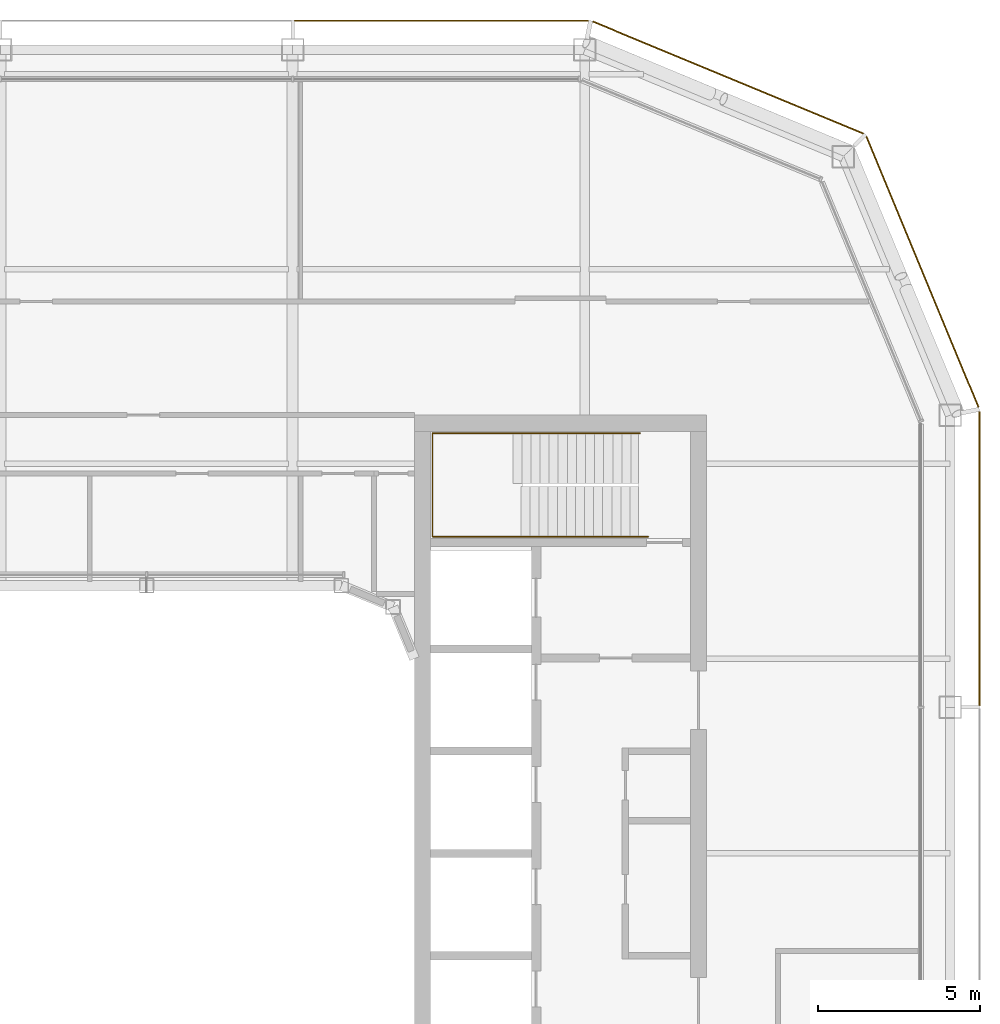
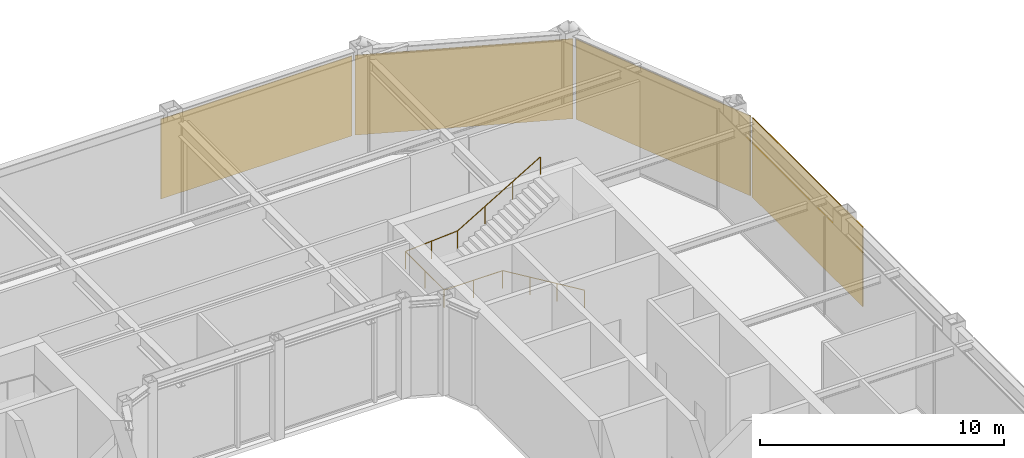
# One storey, part 17 of 17: 4 coverings, 1 railing.
"""IFC4 building model written with IfcOpenShell, lengths in metres."""

from ifc_helpers import new_model, si_unit, direction, frame, origin, origin_2d, place, context, subcontext, project, spatial, rectangle, circle, extrude, material, layer, layer_set, type_object, element, save


model = new_model("IFC4")

# Units and contexts
model_context = context("Model", 3, precision=1e-05, world=origin(), true_north=direction((0.0, 1.0)))
body_context = subcontext(model_context, "Body", "Model", "MODEL_VIEW")
ifc_project = project(units=[si_unit("LENGTHUNIT", "METRE"), si_unit("AREAUNIT", "SQUARE_METRE"), si_unit("VOLUMEUNIT", "CUBIC_METRE"), si_unit("PLANEANGLEUNIT", "RADIAN"), si_unit("MASSUNIT", "GRAM", prefix="KILO")], contexts=[model_context])

# Site, building, storey
site_placement = place(None, origin())
site = spatial("IfcSite", under=ifc_project, at=site_placement, CompositionType="ELEMENT")
building_placement = place(site_placement, origin())
building = spatial("IfcBuilding", under=site, at=building_placement, Name="Siwar Civic Tower", CompositionType="ELEMENT")
storey_placement = place(building_placement, frame((0.0, 0.0, 353.199951171875)))
storey = spatial("IfcBuildingStorey", under=building, at=storey_placement, Name="L76", CompositionType="ELEMENT", Elevation=353.199951171875)

# Railing
ifc_material_1 = material(Name="Stainless steel", Category="steel")
railing_type = type_object("IfcRailingType", Name="CORE-STAIR-HANDRAIL", PredefinedType="HANDRAIL", material=ifc_material_1)
railing_placement = place(storey_placement, frame((15.449951171875, 9.758056640625, 0.166748046875)))
element("IfcRailing", 1, at=railing_placement, inside=storey, type_object=railing_type, Name="Stair handrail ST3", PredefinedType="HANDRAIL", context=body_context, shape_type="SweptSolid", body=[
    extrude(circle(Radius=0.02001953125, at=origin_2d()), frame((0.0, 0.0, 0.8798828125), z_axis=(-0.856384976194, 0.0, 0.516337847296), x_axis=(0.0, -1.0, 0.0)), (0.0, 0.0, 1.0), 4.518798828125),
    extrude(circle(Radius=0.02001953125, at=origin_2d()), frame((-3.869873046875, 0.0, 3.213134765625), z_axis=(-1.0, 0.0, 0.0), x_axis=(0.0, -1.0, 0.0)), (0.0, 0.0, 1.0), 2.77197265625),
    extrude(circle(Radius=0.02001953125, at=origin_2d()), frame((-6.641845703125, 0.0, 3.213134765625), z_axis=(0.0, 1.0, 0.0), x_axis=(-1.0, 0.0, 0.0)), (0.0, 0.0, 1.0), 3.183837890625),
    extrude(circle(Radius=0.02001953125, at=origin_2d()), frame((-6.641845703125, 3.183837890625, 3.213134765625), z_axis=(0.997732526271, 0.0, 0.067303833624), x_axis=(0.0, 1.0, 0.0)), (0.0, 0.0, 1.0), 2.4775390625),
    extrude(circle(Radius=0.02001953125, at=origin_2d()), frame((-4.169921875, 3.183837890625, 3.3798828125), z_axis=(0.859296244711, 0.0, 0.511478214419), x_axis=(0.0, 1.0, 0.0)), (0.0, 0.0, 1.0), 4.561767578125),
    extrude(circle(Radius=0.02001953125, at=origin_2d()), origin(), (0.0, 0.0, 1.0), 0.85986328125),
    extrude(circle(Radius=0.02001953125, at=origin_2d()), frame((-1.2900390625, 0.0, 0.77783203125)), (0.0, 0.0, 1.0), 0.85986328125),
    extrude(circle(Radius=0.02001953125, at=origin_2d()), frame((-2.579833984375, 0.0, 1.555419921875)), (0.0, 0.0, 1.0), 0.85986328125),
    extrude(circle(Radius=0.02001953125, at=origin_2d()), frame((-3.869873046875, 0.0, 2.333251953125)), (0.0, 0.0, 1.0), 0.85986328125),
    extrude(circle(Radius=0.02001953125, at=origin_2d()), frame((-5.255859375, 0.0, 2.333251953125)), (0.0, 0.0, 1.0), 0.85986328125),
    extrude(circle(Radius=0.02001953125, at=origin_2d()), frame((-6.641845703125, 0.0, 2.333251953125)), (0.0, 0.0, 1.0), 0.85986328125),
    extrude(circle(Radius=0.02001953125, at=origin_2d()), frame((-6.641845703125, 1.591796875, 2.333251953125)), (0.0, 0.0, 1.0), 0.85986328125),
    extrude(circle(Radius=0.02001953125, at=origin_2d()), frame((-6.641845703125, 3.183837890625, 2.333251953125)), (0.0, 0.0, 1.0), 0.85986328125),
    extrude(circle(Radius=0.02001953125, at=origin_2d()), frame((-5.40576171875, 3.183837890625, 2.41650390625)), (0.0, 0.0, 1.0), 0.85986328125),
    extrude(circle(Radius=0.02001953125, at=origin_2d()), frame((-4.169921875, 3.183837890625, 2.5)), (0.0, 0.0, 1.0), 0.85986328125),
    extrude(circle(Radius=0.02001953125, at=origin_2d()), frame((-2.86328125, 3.183837890625, 3.27783203125)), (0.0, 0.0, 1.0), 0.85986328125),
    extrude(circle(Radius=0.02001953125, at=origin_2d()), frame((-1.556640625, 3.183837890625, 4.055419921875)), (0.0, 0.0, 1.0), 0.85986328125),
    extrude(circle(Radius=0.02001953125, at=origin_2d()), frame((-0.25, 3.183837890625, 4.833251953125)), (0.0, 0.0, 1.0), 0.85986328125),
])

# Coverings
ifc_material_2 = material(Name="Perforated aluminium cassette, pale metal", Category="aluminium")
ifc_layer = layer(ifc_material_2, 0.0400390625)
ifc_layer_set = layer_set([ifc_layer], Name="Perforated aluminium cassette, pale metal")
covering_type = type_object("IfcCoveringType", Name="ENV-OUTER SKIN OS-1", PredefinedType="CLADDING", material=ifc_layer_set)
covering_1_placement = place(storey_placement, frame((25.64990234375, 9.07958984375, -0.199951171875), z_axis=(0.0, 0.0, 1.0), x_axis=(0.0, 1.0, 0.0)))
element("IfcCovering", 2, at=covering_1_placement, inside=storey, type_object=covering_type, Name="OUTER SKIN OS-1 E 3", PredefinedType="CLADDING", context=body_context, shape_type="SweptSolid", body=[
    extrude(rectangle(XDim=9.05908203125, YDim=0.0400390625, at=origin_2d()), origin(), (0.0, 0.0, 1.0), 4.0),
])
for number, where, z_axis, x_axis, name in (
    (3, (23.89697265625, 17.911376953125, -0.199951171875), (0.0, 0.0, 1.0), (-0.382683432365, 0.923879532511, 0.0), "OUTER SKIN OS-1 NE1 1"),
    (4, (17.911376953125, 23.89697265625, -0.199951171875), (0.0, 0.0, 1.0), (-0.923879532511, 0.382683432365, 0.0), "OUTER SKIN OS-1 NE2 1"),
):
    element("IfcCovering", number, at=place(storey_placement, frame(where, z_axis=z_axis, x_axis=x_axis)), inside=storey, type_object=covering_type, Name=name, PredefinedType="CLADDING", context=body_context, shape_type="SweptSolid", body=[
        extrude(rectangle(XDim=9.022216796875, YDim=0.0400390625, at=origin_2d()), origin(), (0.0, 0.0, 1.0), 4.0),
    ])
covering_2_placement = place(storey_placement, frame((9.07958984375, 25.64990234375, -0.199951171875), z_axis=(0.0, 0.0, 1.0), x_axis=(-1.0, 0.0, 0.0)))
element("IfcCovering", 5, at=covering_2_placement, inside=storey, type_object=covering_type, Name="OUTER SKIN OS-1 N 1", PredefinedType="CLADDING", context=body_context, shape_type="SweptSolid", body=[
    extrude(rectangle(XDim=9.05908203125, YDim=0.0400390625, at=origin_2d()), origin(), (0.0, 0.0, 1.0), 4.0),
])

save(model, "model.ifc")
